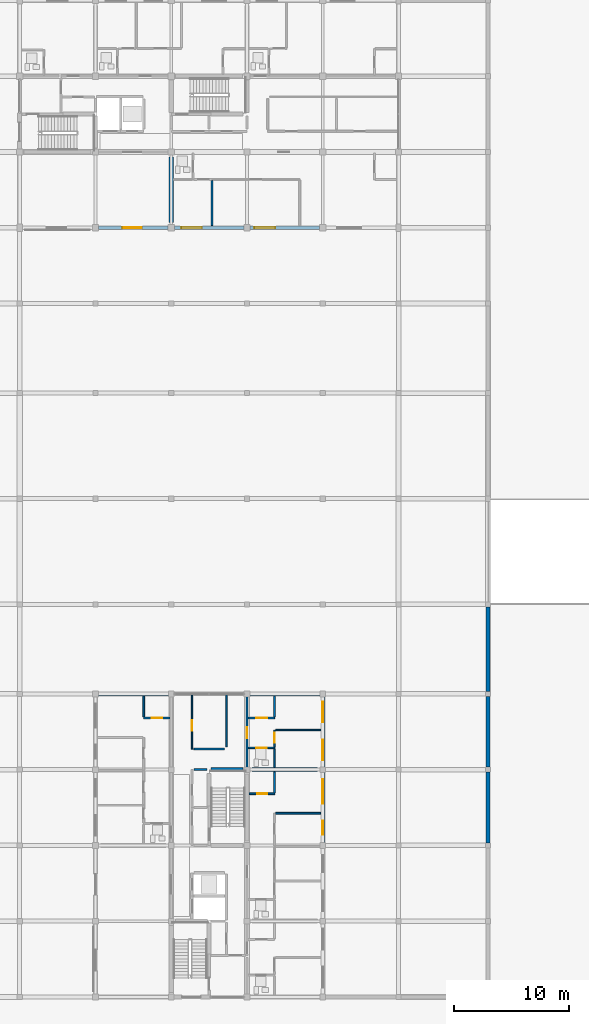
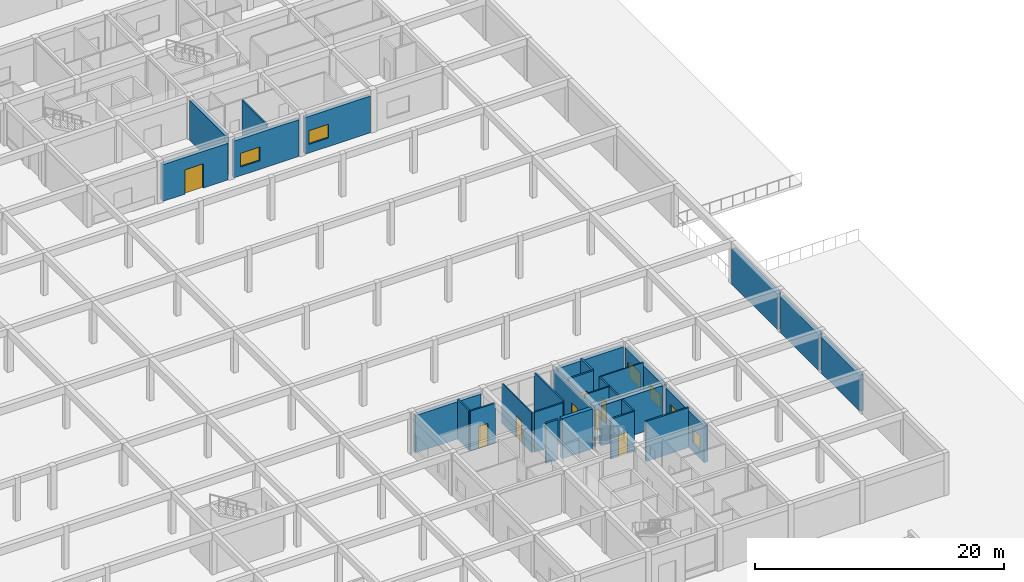
# One storey, part 60 of 75: 30 walls, 8 doors, 6 windows, 14 openings.
"""IFC4 building model written with IfcOpenShell, lengths in metres."""

from ifc_helpers import new_model, si_unit, direction, frame, frame_2d, origin, place, context, subcontext, project, spatial, rectangle, extrude, material, layer, layer_set, type_object, element, fill, save


model = new_model("IFC4")

# Units and contexts
model_context = context("Model", 3, precision=1e-05, world=origin(), true_north=direction((0.0, 1.0)))
body_context = subcontext(model_context, "Body", "Model", "MODEL_VIEW")
ifc_project = project(units=[si_unit("LENGTHUNIT", "METRE"), si_unit("AREAUNIT", "SQUARE_METRE"), si_unit("VOLUMEUNIT", "CUBIC_METRE"), si_unit("PLANEANGLEUNIT", "RADIAN"), si_unit("MASSUNIT", "GRAM", prefix="KILO")], contexts=[model_context])

# Site, building, storey
site_placement = place(None, origin())
site = spatial("IfcSite", under=ifc_project, at=site_placement, CompositionType="ELEMENT")
building_placement = place(site_placement, origin())
building = spatial("IfcBuilding", under=site, at=building_placement, Name="Kernevlak Ridge Housing Community", CompositionType="ELEMENT")
storey_placement = place(building_placement, origin())
storey = spatial("IfcBuildingStorey", under=building, at=storey_placement, Name="L00", CompositionType="ELEMENT", Elevation=0.0)

# Wall, opening, door
ifc_material_1 = material(Name="Concrete block masonry M10", Category="masonry")
ifc_layer_1 = layer(ifc_material_1, 0.340087890625, Name="Concrete block masonry M10")
ifc_layer_set_1 = layer_set([ifc_layer_1], Name="Concrete block masonry M10")
wall_type_1 = type_object("IfcWallType", Name="EW-04", PredefinedType="STANDARD", material=ifc_layer_set_1)
wall_1_placement = place(storey_placement, frame((126.27490234375, 82.60009765625, 0.0), z_axis=(0.0, 0.0, 1.0), x_axis=(1.0, 0.0, 0.0)))
wall_1 = element("IfcWall", 1, at=wall_1_placement, inside=storey, type_object=wall_type_1, Name="Exterior wall EW-04 L00 296", PredefinedType="STANDARD", context=body_context, shape_type="SweptSolid", body=[
    extrude(rectangle(XDim=6.050048828125, YDim=0.340087890625, at=frame_2d((3.02490234375, 0.0))), origin(), (0.0, 0.0, 1.0), 3.60009765625),
])
opening_1_placement = place(wall_1_placement, frame((2.074951171875, 0.0, 0.0)))
opening_1 = element("IfcOpeningElement", 2, at=opening_1_placement, cuts=wall_1, Name="Opening D595", PredefinedType="OPENING", context=body_context, shape_type="SweptSolid", body=[
    extrude(rectangle(XDim=1.699951171875, YDim=2.3798828125, at=frame_2d((0.85009765625, 1.18994140625))), frame((0.0, 0.179931640625, 0.0), z_axis=(0.0, -1.0, 0.0), x_axis=(1.0, 0.0, 0.0)), (0.0, 0.0, 1.0), 0.360107421875),
])
ifc_material_2 = material(Name="Aluminium EN AW-6060 and laminated safety glass", Category="aluminium")
door_type_1 = type_object("IfcDoorType", Name="DT-35", OperationType="DOUBLE_DOOR_SINGLE_SWING", PredefinedType="DOOR", material=ifc_material_2)
door_1_placement = place(opening_1_placement, origin())
door_1 = element("IfcDoor", 3, at=door_1_placement, inside=storey, type_object=door_type_1, Name="Block B Main pedestrian entrance exit D595", OperationType="DOUBLE_DOOR_SINGLE_SWING", OverallHeight=2.3798828125, OverallWidth=1.699951171875, PredefinedType="DOOR", context=body_context, shape_type="SweptSolid", body=[
    extrude(rectangle(XDim=1.699951171875, YDim=2.3798828125, at=frame_2d((0.85009765625, 1.18994140625))), frame((0.0, 0.02490234375, 0.0), z_axis=(0.0, -1.0, 0.0), x_axis=(1.0, 0.0, 0.0)), (0.0, 0.0, 1.0), 0.050048828125),
])
fill(opening_1, door_1)

# Wall, opening, window
wall_2_placement = place(storey_placement, frame((132.875, 82.60009765625, 0.0), z_axis=(0.0, 0.0, 1.0), x_axis=(1.0, 0.0, 0.0)))
wall_2 = element("IfcWall", 4, at=wall_2_placement, inside=storey, type_object=wall_type_1, Name="Exterior wall EW-04 L00 297", PredefinedType="STANDARD", context=body_context, shape_type="SweptSolid", body=[
    extrude(rectangle(XDim=6.050048828125, YDim=0.340087890625, at=frame_2d((3.02490234375, 0.0))), origin(), (0.0, 0.0, 1.0), 3.60009765625),
])
opening_2_placement = place(wall_2_placement, frame((0.60009765625, 0.0, 0.85009765625)))
opening_2 = element("IfcOpeningElement", 5, at=opening_2_placement, cuts=wall_2, Name="Opening WT-03", PredefinedType="OPENING", context=body_context, shape_type="SweptSolid", body=[
    extrude(rectangle(XDim=1.800048828125, YDim=1.35009765625, at=frame_2d((0.89990234375, 0.675048828125))), frame((0.0, 0.179931640625, 0.0), z_axis=(0.0, -1.0, 0.0), x_axis=(1.0, 0.0, 0.0)), (0.0, 0.0, 1.0), 0.360107421875),
])
ifc_material_3 = material(Name="Aluminium EN AW-6060 anodised and laminated glass", Category="aluminium")
window_type_1 = type_object("IfcWindowType", Name="WT-03", PartitioningType="SINGLE_PANEL", PredefinedType="WINDOW", material=ifc_material_3)
window_1_placement = place(opening_2_placement, origin())
window_1 = element("IfcWindow", 6, at=window_1_placement, inside=storey, type_object=window_type_1, Name="Window WT-03 L00 227", OverallHeight=1.35009765625, OverallWidth=1.800048828125, PartitioningType="SINGLE_PANEL", PredefinedType="WINDOW", context=body_context, shape_type="SweptSolid", body=[
    extrude(rectangle(XDim=1.800048828125, YDim=1.35009765625, at=frame_2d((0.89990234375, 0.675048828125))), frame((0.0, 0.030029296875, 0.0), z_axis=(0.0, -1.0, 0.0), x_axis=(1.0, 0.0, 0.0)), (0.0, 0.0, 1.0), 0.06005859375),
])
fill(opening_2, window_1)

wall_3_placement = place(storey_placement, frame((139.47509765625, 82.60009765625, 0.0), z_axis=(0.0, 0.0, 1.0), x_axis=(1.0, 0.0, 0.0)))
wall_3 = element("IfcWall", 7, at=wall_3_placement, inside=storey, type_object=wall_type_1, Name="Exterior wall EW-04 L00 298", PredefinedType="STANDARD", context=body_context, shape_type="SweptSolid", body=[
    extrude(rectangle(XDim=6.0498046875, YDim=0.340087890625, at=frame_2d((3.02490234375, 0.0))), origin(), (0.0, 0.0, 1.0), 3.60009765625),
])
opening_3_placement = place(wall_3_placement, frame((0.375, 0.0, 0.85009765625)))
opening_3 = element("IfcOpeningElement", 8, at=opening_3_placement, cuts=wall_3, Name="Opening WT-03", PredefinedType="OPENING", context=body_context, shape_type="SweptSolid", body=[
    extrude(rectangle(XDim=1.800048828125, YDim=1.35009765625, at=frame_2d((0.89990234375, 0.675048828125))), frame((0.0, 0.179931640625, 0.0), z_axis=(0.0, -1.0, 0.0), x_axis=(1.0, 0.0, 0.0)), (0.0, 0.0, 1.0), 0.360107421875),
])
window_2_placement = place(opening_3_placement, origin())
window_2 = element("IfcWindow", 9, at=window_2_placement, inside=storey, type_object=window_type_1, Name="Window WT-03 L00 228", OverallHeight=1.35009765625, OverallWidth=1.800048828125, PartitioningType="SINGLE_PANEL", PredefinedType="WINDOW", context=body_context, shape_type="SweptSolid", body=[
    extrude(rectangle(XDim=1.800048828125, YDim=1.35009765625, at=frame_2d((0.89990234375, 0.675048828125))), frame((0.0, 0.030029296875, 0.0), z_axis=(0.0, -1.0, 0.0), x_axis=(1.0, 0.0, 0.0)), (0.0, 0.0, 1.0), 0.06005859375),
])
fill(opening_3, window_2)

# Wall, openings, windows
wall_4_placement = place(storey_placement, frame((145.800048828125, 29.050048828125, 0.0), z_axis=(0.0, 0.0, 1.0), x_axis=(0.0, 1.0, 0.0)))
wall_4 = element("IfcWall", 10, at=wall_4_placement, inside=storey, type_object=wall_type_1, Name="Exterior wall EW-04 L00 540", PredefinedType="STANDARD", context=body_context, shape_type="SweptSolid", body=[
    extrude(rectangle(XDim=6.099853515625, YDim=0.340087890625, at=frame_2d((3.0498046875, 0.0))), origin(), (0.0, 0.0, 1.0), 3.60009765625),
])
opening_4_placement = place(wall_4_placement, frame((0.699951171875, 0.0, 0.85009765625)))
opening_4 = element("IfcOpeningElement", 11, at=opening_4_placement, cuts=wall_4, Name="Opening WT-01", PredefinedType="OPENING", context=body_context, shape_type="SweptSolid", body=[
    extrude(rectangle(XDim=1.199951171875, YDim=1.35009765625, at=frame_2d((0.60009765625, 0.675048828125))), frame((0.0, 0.179931640625, 0.0), z_axis=(0.0, -1.0, 0.0), x_axis=(1.0, 0.0, 0.0)), (0.0, 0.0, 1.0), 0.360107421875),
])
opening_5_placement = place(wall_4_placement, frame((3.39990234375, 0.0, 0.85009765625)))
opening_5 = element("IfcOpeningElement", 12, at=opening_5_placement, cuts=wall_4, Name="Opening WT-05", PredefinedType="OPENING", context=body_context, shape_type="SweptSolid", body=[
    extrude(rectangle(XDim=2.10009765625, YDim=1.550048828125, at=frame_2d((1.050048828125, 0.77490234375))), frame((0.0, 0.179931640625, 0.0), z_axis=(0.0, -1.0, 0.0), x_axis=(1.0, 0.0, 0.0)), (0.0, 0.0, 1.0), 0.360107421875),
])
window_type_2 = type_object("IfcWindowType", Name="WT-01", PartitioningType="SINGLE_PANEL", PredefinedType="WINDOW", material=ifc_material_3)
window_3_placement = place(opening_4_placement, origin())
window_3 = element("IfcWindow", 13, at=window_3_placement, inside=storey, type_object=window_type_2, Name="Window WT-01 L00 423", OverallHeight=1.35009765625, OverallWidth=1.199951171875, PartitioningType="SINGLE_PANEL", PredefinedType="WINDOW", context=body_context, shape_type="SweptSolid", body=[
    extrude(rectangle(XDim=1.199951171875, YDim=1.35009765625, at=frame_2d((0.60009765625, 0.675048828125))), frame((0.0, 0.030029296875, 0.0), z_axis=(0.0, -1.0, 0.0), x_axis=(1.0, 0.0, 0.0)), (0.0, 0.0, 1.0), 0.06005859375),
])
fill(opening_4, window_3)
window_type_3 = type_object("IfcWindowType", Name="WT-05", PartitioningType="SINGLE_PANEL", PredefinedType="WINDOW", material=ifc_material_3)
window_4_placement = place(opening_5_placement, origin())
window_4 = element("IfcWindow", 14, at=window_4_placement, inside=storey, type_object=window_type_3, Name="Window WT-05 L00 424", OverallHeight=1.550048828125, OverallWidth=2.10009765625, PartitioningType="SINGLE_PANEL", PredefinedType="WINDOW", context=body_context, shape_type="SweptSolid", body=[
    extrude(rectangle(XDim=2.10009765625, YDim=1.550048828125, at=frame_2d((1.050048828125, 0.77490234375))), frame((0.0, 0.030029296875, 0.0), z_axis=(0.0, -1.0, 0.0), x_axis=(1.0, 0.0, 0.0)), (0.0, 0.0, 1.0), 0.06005859375),
])
fill(opening_5, window_4)

wall_5_placement = place(storey_placement, frame((145.800048828125, 35.64990234375, 0.0), z_axis=(0.0, 0.0, 1.0), x_axis=(0.0, 1.0, 0.0)))
wall_5 = element("IfcWall", 15, at=wall_5_placement, inside=storey, type_object=wall_type_1, Name="Exterior wall EW-04 L00 541", PredefinedType="STANDARD", context=body_context, shape_type="SweptSolid", body=[
    extrude(rectangle(XDim=6.10009765625, YDim=0.340087890625, at=frame_2d((3.050048828125, 0.0))), origin(), (0.0, 0.0, 1.0), 3.60009765625),
])
opening_6_placement = place(wall_5_placement, frame((0.574951171875, 0.0, 0.85009765625)))
opening_6 = element("IfcOpeningElement", 16, at=opening_6_placement, cuts=wall_5, Name="Opening WT-03", PredefinedType="OPENING", context=body_context, shape_type="SweptSolid", body=[
    extrude(rectangle(XDim=1.800048828125, YDim=1.35009765625, at=frame_2d((0.89990234375, 0.675048828125))), frame((0.0, 0.179931640625, 0.0), z_axis=(0.0, -1.0, 0.0), x_axis=(1.0, 0.0, 0.0)), (0.0, 0.0, 1.0), 0.360107421875),
])
opening_7_placement = place(wall_5_placement, frame((3.875, 0.0, 0.85009765625)))
opening_7 = element("IfcOpeningElement", 17, at=opening_7_placement, cuts=wall_5, Name="Opening WT-04", PredefinedType="OPENING", context=body_context, shape_type="SweptSolid", body=[
    extrude(rectangle(XDim=1.800048828125, YDim=1.550048828125, at=frame_2d((0.89990234375, 0.77490234375))), frame((0.0, 0.179931640625, 0.0), z_axis=(0.0, -1.0, 0.0), x_axis=(1.0, 0.0, 0.0)), (0.0, 0.0, 1.0), 0.360107421875),
])
window_5_placement = place(opening_6_placement, origin())
window_5 = element("IfcWindow", 18, at=window_5_placement, inside=storey, type_object=window_type_1, Name="Window WT-03 L00 425", OverallHeight=1.35009765625, OverallWidth=1.800048828125, PartitioningType="SINGLE_PANEL", PredefinedType="WINDOW", context=body_context, shape_type="SweptSolid", body=[
    extrude(rectangle(XDim=1.800048828125, YDim=1.35009765625, at=frame_2d((0.89990234375, 0.675048828125))), frame((0.0, 0.030029296875, 0.0), z_axis=(0.0, -1.0, 0.0), x_axis=(1.0, 0.0, 0.0)), (0.0, 0.0, 1.0), 0.06005859375),
])
fill(opening_6, window_5)
window_type_4 = type_object("IfcWindowType", Name="WT-04", PartitioningType="SINGLE_PANEL", PredefinedType="WINDOW", material=ifc_material_3)
window_6_placement = place(opening_7_placement, origin())
window_6 = element("IfcWindow", 19, at=window_6_placement, inside=storey, type_object=window_type_4, Name="Window WT-04 L00 426", OverallHeight=1.550048828125, OverallWidth=1.800048828125, PartitioningType="SINGLE_PANEL", PredefinedType="WINDOW", context=body_context, shape_type="SweptSolid", body=[
    extrude(rectangle(XDim=1.800048828125, YDim=1.550048828125, at=frame_2d((0.89990234375, 0.77490234375))), frame((0.0, 0.030029296875, 0.0), z_axis=(0.0, -1.0, 0.0), x_axis=(1.0, 0.0, 0.0)), (0.0, 0.0, 1.0), 0.06005859375),
])
fill(opening_7, window_6)

# Walls
for number, where, z_axis, x_axis, name in (
    (20, (126.25, 42.0, 0.0), (0.0, 0.0, 1.0), (1.0, 0.0, 0.0), "Exterior wall EW-04 L00 544"),
    (21, (139.449951171875, 42.0, 0.0), (0.0, 0.0, 1.0), (1.0, 0.0, 0.0), "Exterior wall EW-04 L00 545"),
):
    element("IfcWall", number, at=place(storey_placement, frame(where, z_axis=z_axis, x_axis=x_axis)), inside=storey, type_object=wall_type_1, Name=name, PredefinedType="STANDARD", context=body_context, shape_type="SweptSolid", body=[
        extrude(rectangle(XDim=6.10009765625, YDim=0.340087890625, at=frame_2d((3.050048828125, 0.0))), origin(), (0.0, 0.0, 1.0), 3.64990234375),
    ])
wall_6_placement = place(storey_placement, frame((160.199951171875, 29.02490234375, 0.0), z_axis=(0.0, 0.0, 1.0), x_axis=(0.0, 1.0, 0.0)))
element("IfcWall", 22, at=wall_6_placement, inside=storey, type_object=wall_type_1, Name="Exterior wall EW-04 L00 891", PredefinedType="STANDARD", context=body_context, shape_type="SweptSolid", body=[
    extrude(rectangle(XDim=6.150146484375, YDim=0.340087890625, at=frame_2d((3.0751953125, 0.0))), origin(), (0.0, 0.0, 1.0), 3.550048828125),
])
wall_7_placement = place(storey_placement, frame((160.199951171875, 35.625, 0.0), z_axis=(0.0, 0.0, 1.0), x_axis=(0.0, 1.0, 0.0)))
element("IfcWall", 23, at=wall_7_placement, inside=storey, type_object=wall_type_1, Name="Exterior wall EW-04 L00 892", PredefinedType="STANDARD", context=body_context, shape_type="SweptSolid", body=[
    extrude(rectangle(XDim=6.14990234375, YDim=0.340087890625, at=frame_2d((3.074951171875, 0.0))), origin(), (0.0, 0.0, 1.0), 3.550048828125),
])
wall_8_placement = place(storey_placement, frame((160.199951171875, 42.22509765625, 0.0), z_axis=(0.0, 0.0, 1.0), x_axis=(0.0, 1.0, 0.0)))
element("IfcWall", 24, at=wall_8_placement, inside=storey, type_object=wall_type_1, Name="Exterior wall EW-04 L00 893", PredefinedType="STANDARD", context=body_context, shape_type="SweptSolid", body=[
    extrude(rectangle(XDim=7.349853515625, YDim=0.340087890625, at=frame_2d((3.6748046875, 0.0))), origin(), (0.0, 0.0, 1.0), 3.5),
])
ifc_layer_2 = layer(ifc_material_1, 0.175048828125, Name="Concrete block masonry M10")
ifc_layer_set_2 = layer_set([ifc_layer_2], Name="Concrete block masonry M10")
wall_type_2 = type_object("IfcWallType", Name="PW-02", PredefinedType="PARTITIONING", material=ifc_layer_set_2)
wall_9_placement = place(storey_placement, frame((134.580078125, 35.39990234375, 0.0), z_axis=(0.0, 0.0, 1.0), x_axis=(1.0, 0.0, 0.0)))
element("IfcWall", 25, at=wall_9_placement, inside=storey, type_object=wall_type_2, Name="Interior wall PW-02 WAL-INT-L00-2120", PredefinedType="PARTITIONING", context=body_context, shape_type="SweptSolid", body=[
    extrude(rectangle(XDim=1.139892578125, YDim=0.175048828125, at=frame_2d((0.56982421875, 0.0))), origin(), (0.0, 0.0, 1.0), 3.919921875),
])

# Wall, opening, door
wall_10_placement = place(storey_placement, frame((139.199951171875, 35.39990234375, 0.0), z_axis=(0.0, 0.0, 1.0), x_axis=(0.0, 1.0, 0.0)))
wall_10 = element("IfcWall", 26, at=wall_10_placement, inside=storey, type_object=wall_type_2, Name="Interior wall PW-02 WAL-INT-L00-2155", PredefinedType="PARTITIONING", context=body_context, shape_type="SweptSolid", body=[
    extrude(rectangle(XDim=6.60009765625, YDim=0.175048828125, at=frame_2d((3.300048828125, 0.0))), origin(), (0.0, 0.0, 1.0), 3.550048828125),
])
opening_8_placement = place(wall_10_placement, frame((2.72509765625, 0.0, 0.0)))
opening_8 = element("IfcOpeningElement", 27, at=opening_8_placement, cuts=wall_10, Name="Opening E093", PredefinedType="OPENING", context=body_context, shape_type="SweptSolid", body=[
    extrude(rectangle(XDim=0.949951171875, YDim=2.10009765625, at=frame_2d((0.47509765625, 1.050048828125))), frame((0.0, 0.097412109375, 0.0), z_axis=(0.0, -1.0, 0.0), x_axis=(1.0, 0.0, 0.0)), (0.0, 0.0, 1.0), 0.195068359375),
])
ifc_material_4 = material(Name="Hardwood timber solid-core fire leaf", Category="wood")
door_type_2 = type_object("IfcDoorType", Name="DT-01", OperationType="NOTDEFINED", PredefinedType="DOOR", material=ifc_material_4)
door_2_placement = place(opening_8_placement, origin())
door_2 = element("IfcDoor", 28, at=door_2_placement, inside=storey, type_object=door_type_2, Name="Flat C0023 entrance fire door E093", OperationType="SINGLE_SWING_RIGHT", OverallHeight=2.10009765625, OverallWidth=0.949951171875, PredefinedType="DOOR", context=body_context, shape_type="SweptSolid", body=[
    extrude(rectangle(XDim=0.949951171875, YDim=2.10009765625, at=frame_2d((0.47509765625, 1.050048828125))), frame((0.0, 0.02490234375, 0.0), z_axis=(0.0, -1.0, 0.0), x_axis=(1.0, 0.0, 0.0)), (0.0, 0.0, 1.0), 0.050048828125),
])
fill(opening_8, door_2)

# Walls
ifc_layer_3 = layer(ifc_material_1, 0.14501953125, Name="Concrete block masonry M10")
ifc_layer_set_3 = layer_set([ifc_layer_3], Name="Concrete block masonry M10")
wall_type_3 = type_object("IfcWallType", Name="PW-03", PredefinedType="PARTITIONING", material=ifc_layer_set_3)
wall_11_placement = place(storey_placement, frame((136.14990234375, 86.717529296875, 0.0), z_axis=(0.0, 0.0, 1.0), x_axis=(0.0, -1.0, 0.0)))
element("IfcWall", 29, at=wall_11_placement, inside=storey, type_object=wall_type_3, Name="Interior wall PW-03 WAL-INT-L00-1185", PredefinedType="PARTITIONING", context=body_context, shape_type="SweptSolid", body=[
    extrude(rectangle(XDim=3.9375, YDim=0.14501953125, at=frame_2d((1.96875, 0.0))), origin(), (0.0, 0.0, 1.0), 3.919921875),
])
wall_12_placement = place(storey_placement, frame((137.39990234375, 37.3798828125, 0.0), z_axis=(0.0, 0.0, 1.0), x_axis=(0.0, 1.0, 0.0)))
element("IfcWall", 30, at=wall_12_placement, inside=storey, type_object=wall_type_3, Name="Interior wall PW-03 WAL-INT-L00-2122", PredefinedType="PARTITIONING", context=body_context, shape_type="SweptSolid", body=[
    extrude(rectangle(XDim=4.60009765625, YDim=0.14501953125, at=frame_2d((2.300048828125, 0.0))), origin(), (0.0, 0.0, 1.0), 3.919921875),
])
wall_13_placement = place(storey_placement, frame((134.580078125, 37.199951171875, 0.0), z_axis=(0.0, 0.0, 1.0), x_axis=(1.0, 0.0, 0.0)))
element("IfcWall", 31, at=wall_13_placement, inside=storey, type_object=wall_type_3, Name="Interior wall PW-03 WAL-INT-L00-2123", PredefinedType="PARTITIONING", context=body_context, shape_type="SweptSolid", body=[
    extrude(rectangle(XDim=2.639892578125, YDim=0.14501953125, at=frame_2d((1.31982421875, 0.0))), origin(), (0.0, 0.0, 1.0), 3.919921875),
])
wall_14_placement = place(storey_placement, frame((141.6826171875, 31.60009765625, 0.0), z_axis=(0.0, 0.0, 1.0), x_axis=(1.0, 0.0, 0.0)))
element("IfcWall", 32, at=wall_14_placement, inside=storey, type_object=wall_type_3, Name="Interior wall PW-03 WAL-INT-L00-2154", PredefinedType="PARTITIONING", context=body_context, shape_type="SweptSolid", body=[
    extrude(rectangle(XDim=3.9375, YDim=0.14501953125, at=frame_2d((1.96875, 0.0))), origin(), (0.0, 0.0, 1.0), 3.919921875),
])

# Wall, opening, door
wall_15_placement = place(storey_placement, frame((141.60009765625, 37.37255859375, 0.0), z_axis=(0.0, 0.0, 1.0), x_axis=(0.0, 1.0, 0.0)))
wall_15 = element("IfcWall", 33, at=wall_15_placement, inside=storey, type_object=wall_type_3, Name="Interior wall PW-03 WAL-INT-L00-2160", PredefinedType="PARTITIONING", context=body_context, shape_type="SweptSolid", body=[
    extrude(rectangle(XDim=1.4775390625, YDim=0.14501953125, at=frame_2d((0.73876953125, 0.0))), origin(), (0.0, 0.0, 1.0), 3.919921875),
])
opening_9_placement = place(wall_15_placement, frame((0.35009765625, 0.0, 0.0)))
opening_9 = element("IfcOpeningElement", 34, at=opening_9_placement, cuts=wall_15, Name="Opening E096", PredefinedType="OPENING", context=body_context, shape_type="SweptSolid", body=[
    extrude(rectangle(XDim=0.8798828125, YDim=2.10009765625, at=frame_2d((0.43994140625, 1.050048828125))), frame((0.0, 0.08251953125, 0.0), z_axis=(0.0, -1.0, 0.0), x_axis=(1.0, 0.0, 0.0)), (0.0, 0.0, 1.0), 0.1650390625),
])
ifc_material_5 = material(Name="Hardwood timber leaf", Category="wood")
door_type_3 = type_object("IfcDoorType", Name="DT-25", OperationType="NOTDEFINED", PredefinedType="DOOR", material=ifc_material_5)
door_3_placement = place(opening_9_placement, origin())
door_3 = element("IfcDoor", 35, at=door_3_placement, inside=storey, type_object=door_type_3, Name="Flat C0023 bedroom door E096", OperationType="SINGLE_SWING_LEFT", OverallHeight=2.10009765625, OverallWidth=0.8798828125, PredefinedType="DOOR", context=body_context, shape_type="SweptSolid", body=[
    extrude(rectangle(XDim=0.8798828125, YDim=2.10009765625, at=frame_2d((0.43994140625, 1.050048828125))), frame((0.0, 0.02490234375, 0.0), z_axis=(0.0, -1.0, 0.0), x_axis=(1.0, 0.0, 0.0)), (0.0, 0.0, 1.0), 0.050048828125),
])
fill(opening_9, door_3)

ifc_material_6 = material(Name="Gypsum plasterboard EN 520", Category="gypsum")
ifc_layer_4 = layer(ifc_material_6, 0.125, Name="Gypsum plasterboard EN 520")
ifc_layer_set_4 = layer_set([ifc_layer_4], Name="Gypsum plasterboard EN 520")
wall_type_4 = type_object("IfcWallType", Name="PW-04", PredefinedType="PARTITIONING", material=ifc_layer_set_4)
wall_16_placement = place(storey_placement, frame((139.297607421875, 37.300048828125, 0.0), z_axis=(0.0, 0.0, 1.0), x_axis=(1.0, 0.0, 0.0)))
wall_16 = element("IfcWall", 36, at=wall_16_placement, inside=storey, type_object=wall_type_4, Name="Interior wall PW-04 WAL-INT-L00-2156", PredefinedType="PARTITIONING", context=body_context, shape_type="SweptSolid", body=[
    extrude(rectangle(XDim=2.302490234375, YDim=0.125, at=frame_2d((1.1513671875, 0.0))), origin(), (0.0, 0.0, 1.0), 3.919921875),
])
opening_10_placement = place(wall_16_placement, frame((0.699951171875, 0.0, 0.0)))
opening_10 = element("IfcOpeningElement", 37, at=opening_10_placement, cuts=wall_16, Name="Opening E094", PredefinedType="OPENING", context=body_context, shape_type="SweptSolid", body=[
    extrude(rectangle(XDim=0.93994140625, YDim=2.080078125, at=frame_2d((0.469970703125, 1.0400390625))), frame((0.0, 0.072509765625, 0.0), z_axis=(0.0, -1.0, 0.0), x_axis=(1.0, 0.0, 0.0)), (0.0, 0.0, 1.0), 0.14501953125),
])
ifc_material_7 = material(Name="Hardwood timber moisture-resistant leaf", Category="wood")
door_type_4 = type_object("IfcDoorType", Name="DT-23", OperationType="NOTDEFINED", PredefinedType="DOOR", material=ifc_material_7)
door_4_placement = place(opening_10_placement, origin())
door_4 = element("IfcDoor", 38, at=door_4_placement, inside=storey, type_object=door_type_4, Name="Flat C0023 bathroom door E094", OperationType="SINGLE_SWING_LEFT", OverallHeight=2.080078125, OverallWidth=0.93994140625, PredefinedType="DOOR", context=body_context, shape_type="SweptSolid", body=[
    extrude(rectangle(XDim=0.93994140625, YDim=2.080078125, at=frame_2d((0.469970703125, 1.0400390625))), frame((0.0, 0.02490234375, 0.0), z_axis=(0.0, -1.0, 0.0), x_axis=(1.0, 0.0, 0.0)), (0.0, 0.0, 1.0), 0.050048828125),
])
fill(opening_10, door_4)

# Wall
wall_17_placement = place(storey_placement, frame((141.60009765625, 35.5849609375, 0.0), z_axis=(0.0, 0.0, 1.0), x_axis=(0.0, 1.0, 0.0)))
element("IfcWall", 39, at=wall_17_placement, inside=storey, type_object=wall_type_4, Name="Interior wall PW-04 WAL-INT-L00-2157", PredefinedType="PARTITIONING", context=body_context, shape_type="SweptSolid", body=[
    extrude(rectangle(XDim=1.635009765625, YDim=0.125, at=frame_2d((0.8173828125, 0.0))), origin(), (0.0, 0.0, 1.0), 3.919921875),
])

# Wall, opening, door
ifc_layer_5 = layer(ifc_material_6, 0.155029296875, Name="Gypsum plasterboard EN 520")
ifc_layer_set_5 = layer_set([ifc_layer_5], Name="Gypsum plasterboard EN 520")
wall_type_5 = type_object("IfcWallType", Name="PW-05", PredefinedType="PARTITIONING", material=ifc_layer_set_5)
wall_18_placement = place(storey_placement, frame((132.50244140625, 39.89990234375, 0.0), z_axis=(0.0, 0.0, 1.0), x_axis=(-1.0, 0.0, 0.0)))
wall_18 = element("IfcWall", 40, at=wall_18_placement, inside=storey, type_object=wall_type_5, Name="Interior wall PW-05 WAL-INT-L00-2128", PredefinedType="PARTITIONING", context=body_context, shape_type="SweptSolid", body=[
    extrude(rectangle(XDim=2.302490234375, YDim=0.155029296875, at=frame_2d((1.1513671875, 0.0))), origin(), (0.0, 0.0, 1.0), 3.919921875),
])
opening_11_placement = place(wall_18_placement, frame((0.699951171875, 0.0, 0.0)))
opening_11 = element("IfcOpeningElement", 41, at=opening_11_placement, cuts=wall_18, Name="Opening E079", PredefinedType="OPENING", context=body_context, shape_type="SweptSolid", body=[
    extrude(rectangle(XDim=0.8798828125, YDim=2.159912109375, at=frame_2d((0.43994140625, 1.080078125))), frame((0.0, 0.08740234375, 0.0), z_axis=(0.0, -1.0, 0.0), x_axis=(1.0, 0.0, 0.0)), (0.0, 0.0, 1.0), 0.175048828125),
])
door_type_5 = type_object("IfcDoorType", Name="DT-26", OperationType="NOTDEFINED", PredefinedType="DOOR", material=ifc_material_5)
door_5_placement = place(opening_11_placement, origin())
door_5 = element("IfcDoor", 42, at=door_5_placement, inside=storey, type_object=door_type_5, Name="Flat C0012 kitchen door E079", OperationType="SINGLE_SWING_RIGHT", OverallHeight=2.159912109375, OverallWidth=0.8798828125, PredefinedType="DOOR", context=body_context, shape_type="SweptSolid", body=[
    extrude(rectangle(XDim=0.8798828125, YDim=2.159912109375, at=frame_2d((0.43994140625, 1.080078125))), frame((0.0, 0.02490234375, 0.0), z_axis=(0.0, -1.0, 0.0), x_axis=(1.0, 0.0, 0.0)), (0.0, 0.0, 1.0), 0.050048828125),
])
fill(opening_11, door_5)

# Wall
wall_19_placement = place(storey_placement, frame((130.199951171875, 39.987548828125, 0.0), z_axis=(0.0, 0.0, 1.0), x_axis=(0.0, 1.0, 0.0)))
element("IfcWall", 43, at=wall_19_placement, inside=storey, type_object=wall_type_5, Name="Interior wall PW-05 WAL-INT-L00-2129", PredefinedType="PARTITIONING", context=body_context, shape_type="SweptSolid", body=[
    extrude(rectangle(XDim=1.83251953125, YDim=0.155029296875, at=frame_2d((0.916259765625, 0.0))), origin(), (0.0, 0.0, 1.0), 3.919921875),
])

# Wall, opening, door
wall_20_placement = place(storey_placement, frame((139.385009765625, 33.300048828125, 0.0), z_axis=(0.0, 0.0, 1.0), x_axis=(1.0, 0.0, 0.0)))
wall_20 = element("IfcWall", 44, at=wall_20_placement, inside=storey, type_object=wall_type_5, Name="Interior wall PW-05 WAL-INT-L00-2147", PredefinedType="PARTITIONING", context=body_context, shape_type="SweptSolid", body=[
    extrude(rectangle(XDim=2.215087890625, YDim=0.155029296875, at=frame_2d((1.107421875, 0.0))), origin(), (0.0, 0.0, 1.0), 3.919921875),
])
opening_12_placement = place(wall_20_placement, frame((0.699951171875, 0.0, 0.0)))
opening_12 = element("IfcOpeningElement", 45, at=opening_12_placement, cuts=wall_20, Name="Opening E089", PredefinedType="OPENING", context=body_context, shape_type="SweptSolid", body=[
    extrude(rectangle(XDim=0.860107421875, YDim=2.1201171875, at=frame_2d((0.43017578125, 1.06005859375))), frame((0.0, 0.08740234375, 0.0), z_axis=(0.0, -1.0, 0.0), x_axis=(1.0, 0.0, 0.0)), (0.0, 0.0, 1.0), 0.175048828125),
])
door_type_6 = type_object("IfcDoorType", Name="DT-28", OperationType="NOTDEFINED", PredefinedType="DOOR", material=ifc_material_5)
door_6_placement = place(opening_12_placement, origin())
door_6 = element("IfcDoor", 46, at=door_6_placement, inside=storey, type_object=door_type_6, Name="Flat C0022 kitchen door E089", OperationType="SINGLE_SWING_RIGHT", OverallHeight=2.1201171875, OverallWidth=0.860107421875, PredefinedType="DOOR", context=body_context, shape_type="SweptSolid", body=[
    extrude(rectangle(XDim=0.860107421875, YDim=2.1201171875, at=frame_2d((0.43017578125, 1.06005859375))), frame((0.0, 0.02490234375, 0.0), z_axis=(0.0, -1.0, 0.0), x_axis=(1.0, 0.0, 0.0)), (0.0, 0.0, 1.0), 0.050048828125),
])
fill(opening_12, door_6)

# Wall
wall_21_placement = place(storey_placement, frame((141.60009765625, 33.387451171875, 0.0), z_axis=(0.0, 0.0, 1.0), x_axis=(0.0, 1.0, 0.0)))
element("IfcWall", 47, at=wall_21_placement, inside=storey, type_object=wall_type_5, Name="Interior wall PW-05 WAL-INT-L00-2148", PredefinedType="PARTITIONING", context=body_context, shape_type="SweptSolid", body=[
    extrude(rectangle(XDim=1.82763671875, YDim=0.155029296875, at=frame_2d((0.913818359375, 0.0))), origin(), (0.0, 0.0, 1.0), 3.919921875),
])

# Wall, opening, door
wall_22_placement = place(storey_placement, frame((139.297607421875, 39.89990234375, 0.0), z_axis=(0.0, 0.0, 1.0), x_axis=(1.0, 0.0, 0.0)))
wall_22 = element("IfcWall", 48, at=wall_22_placement, inside=storey, type_object=wall_type_5, Name="Interior wall PW-05 WAL-INT-L00-2158", PredefinedType="PARTITIONING", context=body_context, shape_type="SweptSolid", body=[
    extrude(rectangle(XDim=2.302490234375, YDim=0.155029296875, at=frame_2d((1.1513671875, 0.0))), origin(), (0.0, 0.0, 1.0), 3.919921875),
])
opening_13_placement = place(wall_22_placement, frame((0.699951171875, 0.0, 0.0)))
opening_13 = element("IfcOpeningElement", 49, at=opening_13_placement, cuts=wall_22, Name="Opening E095", PredefinedType="OPENING", context=body_context, shape_type="SweptSolid", body=[
    extrude(rectangle(XDim=0.97998046875, YDim=2.1201171875, at=frame_2d((0.489990234375, 1.06005859375))), frame((0.0, 0.08740234375, 0.0), z_axis=(0.0, -1.0, 0.0), x_axis=(1.0, 0.0, 0.0)), (0.0, 0.0, 1.0), 0.175048828125),
])
door_type_7 = type_object("IfcDoorType", Name="DT-24", OperationType="NOTDEFINED", PredefinedType="DOOR", material=ifc_material_5)
door_7_placement = place(opening_13_placement, origin())
door_7 = element("IfcDoor", 50, at=door_7_placement, inside=storey, type_object=door_type_7, Name="Flat C0023 kitchen door E095", OperationType="SINGLE_SWING_RIGHT", OverallHeight=2.1201171875, OverallWidth=0.97998046875, PredefinedType="DOOR", context=body_context, shape_type="SweptSolid", body=[
    extrude(rectangle(XDim=0.97998046875, YDim=2.1201171875, at=frame_2d((0.489990234375, 1.06005859375))), frame((0.0, 0.02490234375, 0.0), z_axis=(0.0, -1.0, 0.0), x_axis=(1.0, 0.0, 0.0)), (0.0, 0.0, 1.0), 0.050048828125),
])
fill(opening_13, door_7)

# Wall
wall_23_placement = place(storey_placement, frame((141.60009765625, 39.987548828125, 0.0), z_axis=(0.0, 0.0, 1.0), x_axis=(0.0, 1.0, 0.0)))
element("IfcWall", 51, at=wall_23_placement, inside=storey, type_object=wall_type_5, Name="Interior wall PW-05 WAL-INT-L00-2159", PredefinedType="PARTITIONING", context=body_context, shape_type="SweptSolid", body=[
    extrude(rectangle(XDim=1.83251953125, YDim=0.155029296875, at=frame_2d((0.916259765625, 0.0))), origin(), (0.0, 0.0, 1.0), 3.919921875),
])

# Wall, opening, door
ifc_layer_6 = layer(ifc_material_6, 0.10498046875, Name="Gypsum plasterboard EN 520")
ifc_layer_set_6 = layer_set([ifc_layer_6], Name="Gypsum plasterboard EN 520")
wall_type_6 = type_object("IfcWallType", Name="PW-06", PredefinedType="PARTITIONING", material=ifc_layer_set_6)
wall_24_placement = place(storey_placement, frame((134.39990234375, 37.199951171875, 0.0), z_axis=(0.0, 0.0, 1.0), x_axis=(0.0, 1.0, 0.0)))
wall_24 = element("IfcWall", 52, at=wall_24_placement, inside=storey, type_object=wall_type_6, Name="Interior wall PW-06 WAL-INT-L00-2121", PredefinedType="PARTITIONING", context=body_context, shape_type="SweptSolid", body=[
    extrude(rectangle(XDim=4.800048828125, YDim=0.10498046875, at=frame_2d((2.39990234375, 0.0))), origin(), (0.0, 0.0, 1.0), 3.919921875),
])
opening_14_placement = place(wall_24_placement, frame((1.60009765625, 0.0, 0.0)))
opening_14 = element("IfcOpeningElement", 53, at=opening_14_placement, cuts=wall_24, Name="Opening E073", PredefinedType="OPENING", context=body_context, shape_type="SweptSolid", body=[
    extrude(rectangle(XDim=0.89990234375, YDim=2.10009765625, at=frame_2d((0.449951171875, 1.050048828125))), frame((0.0, 0.0625, 0.0), z_axis=(0.0, -1.0, 0.0), x_axis=(1.0, 0.0, 0.0)), (0.0, 0.0, 1.0), 0.125),
])
door_type_8 = type_object("IfcDoorType", Name="DT-21", OperationType="NOTDEFINED", PredefinedType="DOOR", material=ifc_material_5)
door_8_placement = place(opening_14_placement, origin())
door_8 = element("IfcDoor", 54, at=door_8_placement, inside=storey, type_object=door_type_8, Name="Block C Laundry room door E073", OperationType="SINGLE_SWING_RIGHT", OverallHeight=2.10009765625, OverallWidth=0.89990234375, PredefinedType="DOOR", context=body_context, shape_type="SweptSolid", body=[
    extrude(rectangle(XDim=0.89990234375, YDim=2.10009765625, at=frame_2d((0.449951171875, 1.050048828125))), frame((0.0, 0.02490234375, 0.0), z_axis=(0.0, -1.0, 0.0), x_axis=(1.0, 0.0, 0.0)), (0.0, 0.0, 1.0), 0.050048828125),
])
fill(opening_14, door_8)

# Walls
wall_25_placement = place(storey_placement, frame((141.6826171875, 38.85009765625, 0.0), z_axis=(0.0, 0.0, 1.0), x_axis=(1.0, 0.0, 0.0)))
element("IfcWall", 55, at=wall_25_placement, inside=storey, type_object=wall_type_6, Name="Interior wall PW-06 WAL-INT-L00-2161", PredefinedType="PARTITIONING", context=body_context, shape_type="SweptSolid", body=[
    extrude(rectangle(XDim=3.9375, YDim=0.10498046875, at=frame_2d((1.96875, 0.0))), origin(), (0.0, 0.0, 1.0), 3.919921875),
])
ifc_material_8 = material(Name="Concrete C40/50", Category="concrete")
ifc_layer_7 = layer(ifc_material_8, 0.35009765625, Name="Concrete C40/50")
ifc_layer_set_7 = layer_set([ifc_layer_7], Name="Concrete C40/50")
wall_type_7 = type_object("IfcWallType", Name="SW-01", PredefinedType="SHEAR", material=ifc_layer_set_7)
wall_26_placement = place(storey_placement, frame((132.60009765625, 83.050048828125, 0.0), z_axis=(0.0, 0.0, 1.0), x_axis=(0.0, 1.0, 0.0)))
element("IfcWall", 56, at=wall_26_placement, inside=storey, type_object=wall_type_7, Name="Shear wall SW-01 Block B L00 218", PredefinedType="SHEAR", context=body_context, shape_type="SweptSolid", body=[
    extrude(rectangle(XDim=5.699951171875, YDim=0.35009765625, at=frame_2d((2.85009765625, 0.0))), origin(), (0.0, 0.0, 1.0), 3.919921875),
])
wall_27_placement = place(storey_placement, frame((136.050048828125, 35.39990234375, 0.0), z_axis=(0.0, 0.0, 1.0), x_axis=(1.0, 0.0, 0.0)))
element("IfcWall", 57, at=wall_27_placement, inside=storey, type_object=wall_type_7, Name="Shear wall SW-01 Block C L00 377", PredefinedType="SHEAR", context=body_context, shape_type="SweptSolid", body=[
    extrude(rectangle(XDim=2.800048828125, YDim=0.35009765625, at=frame_2d((1.39990234375, 0.0))), origin(), (0.0, 0.0, 1.0), 3.919921875),
])
wall_28_placement = place(storey_placement, frame((139.64990234375, 35.39990234375, 0.0), z_axis=(0.0, 0.0, 1.0), x_axis=(1.0, 0.0, 0.0)))
element("IfcWall", 58, at=wall_28_placement, inside=storey, type_object=wall_type_7, Name="Shear wall SW-01 Block C L00 380", PredefinedType="SHEAR", context=body_context, shape_type="SweptSolid", body=[
    extrude(rectangle(XDim=5.7001953125, YDim=0.35009765625, at=frame_2d((2.85009765625, 0.0))), origin(), (0.0, 0.0, 1.0), 3.919921875),
])

save(model, "model.ifc")
